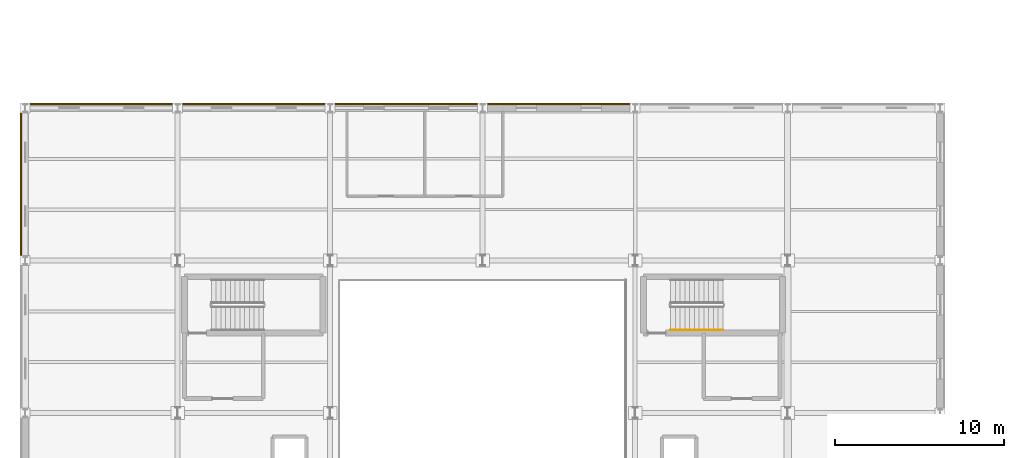
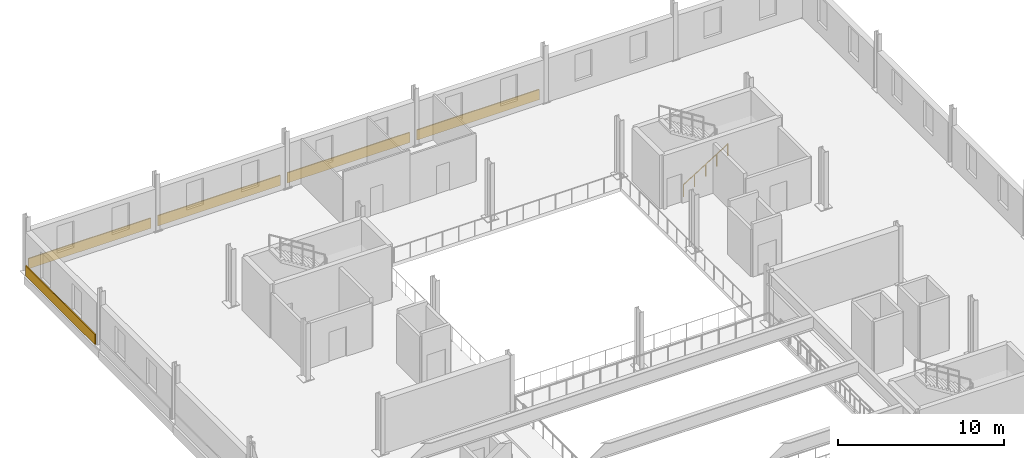
# One storey, part 16 of 17: 5 coverings, 1 railing.
"""IFC4 building model written with IfcOpenShell, lengths in metres."""

from ifc_helpers import new_model, si_unit, direction, frame, origin, origin_2d, place, context, subcontext, project, spatial, rectangle, circle, extrude, material, layer, layer_set, type_object, element, save


model = new_model("IFC4")

# Units and contexts
model_context = context("Model", 3, precision=1e-05, world=origin(), true_north=direction((0.0, 1.0)))
body_context = subcontext(model_context, "Body", "Model", "MODEL_VIEW")
ifc_project = project(units=[si_unit("LENGTHUNIT", "METRE"), si_unit("AREAUNIT", "SQUARE_METRE"), si_unit("VOLUMEUNIT", "CUBIC_METRE"), si_unit("PLANEANGLEUNIT", "RADIAN"), si_unit("MASSUNIT", "GRAM", prefix="KILO")], contexts=[model_context])

# Site, building, storey
site_placement = place(None, origin())
site = spatial("IfcSite", under=ifc_project, at=site_placement, CompositionType="ELEMENT")
building_placement = place(site_placement, origin())
building = spatial("IfcBuilding", under=site, at=building_placement, Name="Sundgate Opera House", CompositionType="ELEMENT")
storey_placement = place(building_placement, frame((0.0, 0.0, 26.39990234375)))
storey = spatial("IfcBuildingStorey", under=building, at=storey_placement, Name="L05", CompositionType="ELEMENT", Elevation=26.39990234375)

# Coverings
ifc_material_1 = material(Name="Deep-carved Komstad limestone relief panel", Category="masonry")
ifc_layer_1 = layer(ifc_material_1, 0.094970703125)
ifc_layer_set_1 = layer_set([ifc_layer_1], Name="Deep-carved Komstad limestone relief panel")
covering_type_1 = type_object("IfcCoveringType", Name="CV-TRENC-DEEP", PredefinedType="CLADDING", material=ifc_layer_set_1)
covering_1_placement = place(storey_placement, frame((40.5, 87.242431640625, 0.045166015625), z_axis=(0.0, 0.0, 1.0), x_axis=(1.0, 0.0, 0.0)))
element("IfcCovering", 1, at=covering_1_placement, inside=storey, type_object=covering_type_1, Name="L05 Trencadis 750mm Relief Band CV0076", PredefinedType="CLADDING", context=body_context, shape_type="SweptSolid", body=[
    extrude(rectangle(XDim=8.510009765625, YDim=0.074951171875, at=origin_2d()), origin(), (0.0, 0.0, 1.0), 0.75),
])
ifc_material_2 = material(Name="Frost-proof vitrified stoneware trencadis relief tile", Category="masonry")
ifc_layer_2 = layer(ifc_material_2, 0.074951171875)
ifc_layer_set_2 = layer_set([ifc_layer_2], Name="Frost-proof vitrified stoneware trencadis relief tile")
covering_type_2 = type_object("IfcCoveringType", Name="CV-TRENC-RELIEF", PredefinedType="CLADDING", material=ifc_layer_set_2)
for number, where, z_axis, x_axis, name in (
    (2, (31.5, 87.242431640625, 0.045166015625), (0.0, 0.0, 1.0), (1.0, 0.0, 0.0), "L05 Trencadis 750mm Relief Band CV0074"),
    (3, (58.5, 87.242431640625, 0.045166015625), (0.0, 0.0, 1.0), (1.0, 0.0, 0.0), "L05 Trencadis 750mm Relief Band CV0080"),
):
    element("IfcCovering", number, at=place(storey_placement, frame(where, z_axis=z_axis, x_axis=x_axis)), inside=storey, type_object=covering_type_2, Name=name, PredefinedType="CLADDING", context=body_context, shape_type="SweptSolid", body=[
        extrude(rectangle(XDim=8.510009765625, YDim=0.074951171875, at=origin_2d()), origin(), (0.0, 0.0, 1.0), 0.75),
    ])
ifc_material_3 = material(Name="Polychrome trencadis mosaic panel", Category="masonry")
ifc_layer_3 = layer(ifc_material_3, 0.054931640625)
ifc_layer_set_3 = layer_set([ifc_layer_3], Name="Polychrome trencadis mosaic panel")
covering_type_3 = type_object("IfcCoveringType", Name="CV-TRENC-SLIM", PredefinedType="CLADDING", material=ifc_layer_set_3)
covering_2_placement = place(storey_placement, frame((49.5, 87.242431640625, 0.045166015625), z_axis=(0.0, 0.0, 1.0), x_axis=(1.0, 0.0, 0.0)))
element("IfcCovering", 4, at=covering_2_placement, inside=storey, type_object=covering_type_3, Name="L05 Trencadis 750mm Relief Band CV0078", PredefinedType="CLADDING", context=body_context, shape_type="SweptSolid", body=[
    extrude(rectangle(XDim=8.510009765625, YDim=0.074951171875, at=origin_2d()), origin(), (0.0, 0.0, 1.0), 0.75),
])
covering_3_placement = place(storey_placement, frame((26.757568359375, 82.5, 0.045166015625), z_axis=(0.0, 0.0, 1.0), x_axis=(0.0, 1.0, 0.0)))
element("IfcCovering", 5, at=covering_3_placement, inside=storey, type_object=covering_type_3, Name="L05 Trencadis 750mm Relief Band CV0095", PredefinedType="CLADDING", context=body_context, shape_type="SweptSolid", body=[
    extrude(rectangle(XDim=8.360107421875, YDim=0.074951171875, at=origin_2d()), origin(), (0.0, 0.0, 1.0), 0.75),
])

# Railing
ifc_material_4 = material(Name="Brushed stainless steel handrail", Category="steel")
railing_type = type_object("IfcRailingType", Name="RL-STAIR-HAND-900", PredefinedType="HANDRAIL", material=ifc_material_4)
railing_placement = place(storey_placement, frame((65.10009765625, 73.89990234375, 0.175048828125)))
element("IfcRailing", 6, at=railing_placement, inside=storey, type_object=railing_type, Name="ST04L05 Handrail RL0173", PredefinedType="HANDRAIL", context=body_context, shape_type="SweptSolid", body=[
    extrude(circle(Radius=0.02392578125, at=origin_2d()), frame((0.0, 0.0, 0.8759765625), z_axis=(0.847979421464, 0.0, 0.530029150871), x_axis=(0.0, 1.0, 0.0)), (0.0, 0.0, 1.0), 3.632080078125),
    extrude(circle(Radius=0.02099609375, at=origin_2d()), origin(), (0.0, 0.0, 1.0), 0.851806640625),
    extrude(circle(Radius=0.02099609375, at=origin_2d()), frame((0.77001953125, 0.0, 0.481201171875)), (0.0, 0.0, 1.0), 0.851806640625),
    extrude(circle(Radius=0.02099609375, at=origin_2d()), frame((1.5400390625, 0.0, 0.96240234375)), (0.0, 0.0, 1.0), 0.851806640625),
    extrude(circle(Radius=0.02099609375, at=origin_2d()), frame((2.309814453125, 0.0, 1.44384765625)), (0.0, 0.0, 1.0), 0.851806640625),
    extrude(circle(Radius=0.02099609375, at=origin_2d()), frame((3.079833984375, 0.0, 1.925048828125)), (0.0, 0.0, 1.0), 0.851806640625),
])

save(model, "model.ifc")
